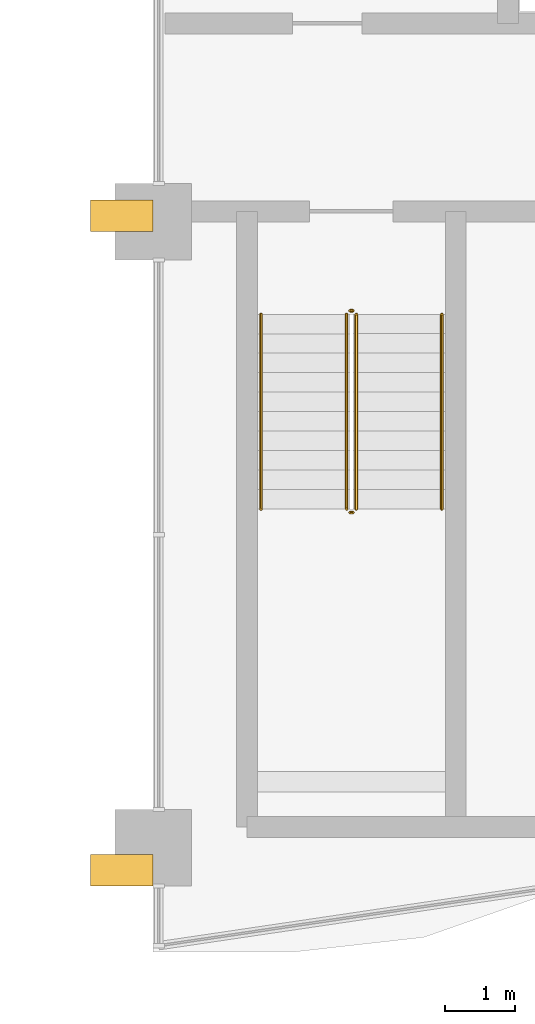
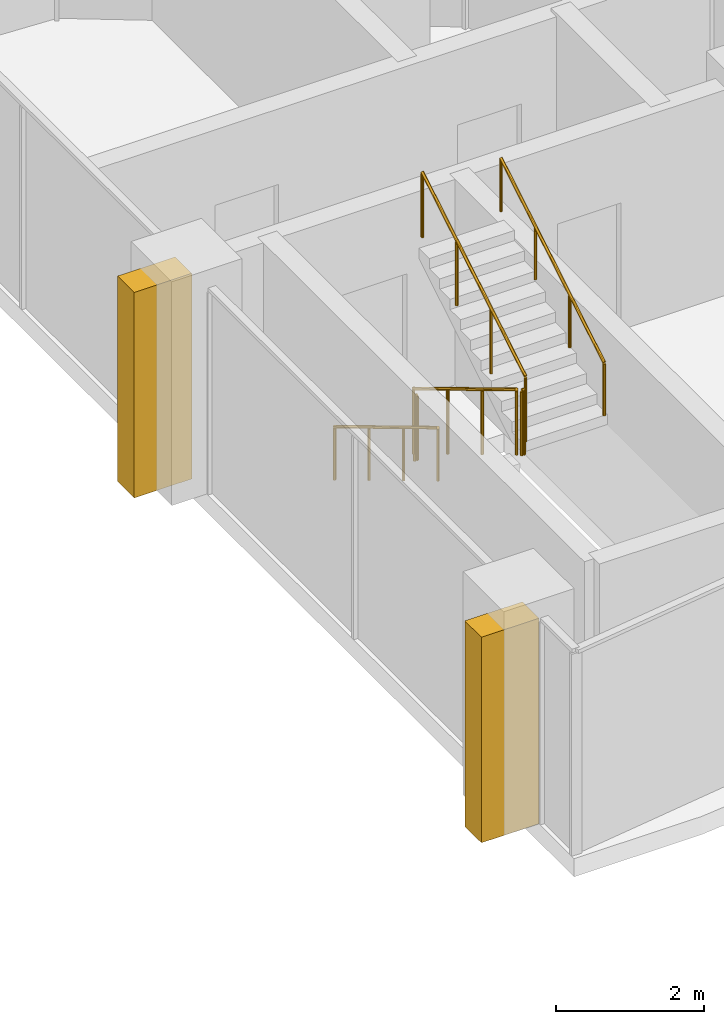
# One storey, part 21 of 23: 6 railings, 2 coverings.
"""IFC4 building model written with IfcOpenShell, lengths in metres."""

from ifc_helpers import new_model, si_unit, direction, frame, origin, origin_2d, place, context, subcontext, project, spatial, rectangle, circle, extrude, material, layer, layer_set, type_object, element, save


model = new_model("IFC4")

# Units and contexts
model_context = context("Model", 3, precision=1e-05, world=origin(), true_north=direction((0.0, 1.0)))
body_context = subcontext(model_context, "Body", "Model", "MODEL_VIEW")
ifc_project = project(units=[si_unit("LENGTHUNIT", "METRE"), si_unit("AREAUNIT", "SQUARE_METRE"), si_unit("VOLUMEUNIT", "CUBIC_METRE"), si_unit("PLANEANGLEUNIT", "RADIAN"), si_unit("MASSUNIT", "GRAM", prefix="KILO")], contexts=[model_context])

# Site, building, storey
site_placement = place(None, origin())
site = spatial("IfcSite", under=ifc_project, at=site_placement, CompositionType="ELEMENT")
building_placement = place(site_placement, origin())
building = spatial("IfcBuilding", under=site, at=building_placement, Name="Ogive Portal Towers", CompositionType="ELEMENT")
storey_placement = place(building_placement, frame((0.0, 0.0, 149.60009765625)))
storey = spatial("IfcBuildingStorey", under=building, at=storey_placement, Name="L36", CompositionType="ELEMENT", Elevation=149.60009765625)

# Coverings
ifc_material_1 = material(Name="Limestone cladding on lightweight block wall", Category="masonry")
ifc_layer = layer(ifc_material_1, 0.449951171875)
ifc_layer_set = layer_set([ifc_layer], Name="BUTTRESS PIER STONE")
covering_type = type_object("IfcCoveringType", Name="BUTTRESS PIER STONE", PredefinedType="CLADDING", material=ifc_layer_set)
for number, where, z_axis, x_axis, name in (
    (1, (85.050048828125, 30.58447265625, 0.0), (0.0, 0.0, 1.0), (1.0, 0.0, 0.0), "Buttress pier A2-F01.1"),
    (2, (85.050048828125, 21.17724609375, 0.0), (0.0, 0.0, 1.0), (1.0, 0.0, 0.0), "Buttress pier A2-F01.3"),
):
    element("IfcCovering", number, at=place(storey_placement, frame(where, z_axis=z_axis, x_axis=x_axis)), inside=storey, type_object=covering_type, Name=name, PredefinedType="CLADDING", context=body_context, shape_type="SweptSolid", body=[
        extrude(rectangle(XDim=0.89990234375, YDim=0.449951171875, at=origin_2d()), origin(), (0.0, 0.0, 1.0), 3.39990234375),
    ])

# Railings
ifc_material_2 = material(Name="Stainless steel balustrade", Category="steel")
railing_type_1 = type_object("IfcRailingType", Name="INT-GUARD", PredefinedType="GUARDRAIL", material=ifc_material_2)
railing_1_placement = place(storey_placement, frame((88.280029296875, 29.169921875, 0.16796875)))
element("IfcRailing", 3, at=railing_1_placement, inside=storey, type_object=railing_type_1, Name="L36 ST-A4 stair guard 1", PredefinedType="GUARDRAIL", context=body_context, shape_type="SweptSolid", body=[
    extrude(circle(Radius=0.02392578125, at=origin_2d()), frame((0.0, 0.0, 1.076171875), z_axis=(0.0, -0.857222391501, 0.514946377315), x_axis=(1.0, 0.0, 0.0)), (0.0, 0.0, 1.0), 3.26611328125),
    extrude(circle(Radius=0.02099609375, at=origin_2d()), origin(), (0.0, 0.0, 1.0), 1.052001953125),
    extrude(circle(Radius=0.02099609375, at=origin_2d()), frame((0.0, -0.933349609375, 0.560546875)), (0.0, 0.0, 1.0), 1.052001953125),
    extrude(circle(Radius=0.02099609375, at=origin_2d()), frame((0.0, -1.866455078125, 1.121337890625)), (0.0, 0.0, 1.0), 1.052001953125),
    extrude(circle(Radius=0.02099609375, at=origin_2d()), frame((0.0, -2.7998046875, 1.681884765625)), (0.0, 0.0, 1.0), 1.052001953125),
])
railing_2_placement = place(storey_placement, frame((88.330078125, 26.320068359375, 1.849853515625)))
element("IfcRailing", 4, at=railing_2_placement, inside=storey, type_object=railing_type_1, Name="L36 ST-A4 stair guard 2", PredefinedType="GUARDRAIL", context=body_context, shape_type="SweptSolid", body=[
    extrude(circle(Radius=0.02392578125, at=origin_2d()), frame((0.0, 0.0, 1.076171875), z_axis=(1.0, 0.0, 0.0), x_axis=(0.0, 1.0, 0.0)), (0.0, 0.0, 1.0), 0.0400390625),
    extrude(circle(Radius=0.02099609375, at=origin_2d()), origin(), (0.0, 0.0, 1.0), 1.052001953125),
    extrude(circle(Radius=0.02099609375, at=origin_2d()), frame((0.0400390625, 0.0, 0.0)), (0.0, 0.0, 1.0), 1.052001953125),
])
railing_3_placement = place(storey_placement, frame((88.419921875, 26.3701171875, 2.01806640625)))
element("IfcRailing", 5, at=railing_3_placement, inside=storey, type_object=railing_type_1, Name="L36 ST-A4 stair guard 3", PredefinedType="GUARDRAIL", context=body_context, shape_type="SweptSolid", body=[
    extrude(circle(Radius=0.02392578125, at=origin_2d()), frame((0.0, 0.0, 1.076171875), z_axis=(0.0, 0.857222391501, 0.514946377315), x_axis=(-1.0, 0.0, 0.0)), (0.0, 0.0, 1.0), 3.26611328125),
    extrude(circle(Radius=0.02099609375, at=origin_2d()), origin(), (0.0, 0.0, 1.0), 1.052001953125),
    extrude(circle(Radius=0.02099609375, at=origin_2d()), frame((0.0, 0.933349609375, 0.560546875)), (0.0, 0.0, 1.0), 1.052001953125),
    extrude(circle(Radius=0.02099609375, at=origin_2d()), frame((0.0, 1.866455078125, 1.121337890625)), (0.0, 0.0, 1.0), 1.052001953125),
    extrude(circle(Radius=0.02099609375, at=origin_2d()), frame((0.0, 2.7998046875, 1.681884765625)), (0.0, 0.0, 1.0), 1.052001953125),
])
railing_4_placement = place(storey_placement, frame((88.330078125, 29.219970703125, 0.0)))
element("IfcRailing", 6, at=railing_4_placement, inside=storey, type_object=railing_type_1, Name="L36 ST-A4 stair guard 4", PredefinedType="GUARDRAIL", context=body_context, shape_type="SweptSolid", body=[
    extrude(circle(Radius=0.02392578125, at=origin_2d()), frame((0.0, 0.0, 1.076171875), z_axis=(1.0, 0.0, 0.0), x_axis=(0.0, 1.0, 0.0)), (0.0, 0.0, 1.0), 0.0400390625),
    extrude(circle(Radius=0.02099609375, at=origin_2d()), origin(), (0.0, 0.0, 1.0), 1.052001953125),
    extrude(circle(Radius=0.02099609375, at=origin_2d()), frame((0.0400390625, 0.0, 0.0)), (0.0, 0.0, 1.0), 1.052001953125),
])
ifc_material_3 = material(Name="Stainless steel handrail", Category="steel")
railing_type_2 = type_object("IfcRailingType", Name="INT-HANDRAIL", PredefinedType="HANDRAIL", material=ifc_material_3)
railing_5_placement = place(storey_placement, frame((87.050048828125, 29.169921875, 0.16796875)))
element("IfcRailing", 7, at=railing_5_placement, inside=storey, type_object=railing_type_2, Name="L36 ST-A4 stair handrail 1", PredefinedType="HANDRAIL", context=body_context, shape_type="SweptSolid", body=[
    extrude(circle(Radius=0.02392578125, at=origin_2d()), frame((0.0, 0.0, 0.8759765625), z_axis=(0.0, -0.857222391501, 0.514946377315), x_axis=(1.0, 0.0, 0.0)), (0.0, 0.0, 1.0), 3.26611328125),
    extrude(circle(Radius=0.02099609375, at=origin_2d()), origin(), (0.0, 0.0, 1.0), 0.851806640625),
    extrude(circle(Radius=0.02099609375, at=origin_2d()), frame((0.0, -0.933349609375, 0.560546875)), (0.0, 0.0, 1.0), 0.851806640625),
    extrude(circle(Radius=0.02099609375, at=origin_2d()), frame((0.0, -1.866455078125, 1.121337890625)), (0.0, 0.0, 1.0), 0.851806640625),
    extrude(circle(Radius=0.02099609375, at=origin_2d()), frame((0.0, -2.7998046875, 1.681884765625)), (0.0, 0.0, 1.0), 0.851806640625),
])
railing_6_placement = place(storey_placement, frame((89.64990234375, 26.3701171875, 2.01806640625)))
element("IfcRailing", 8, at=railing_6_placement, inside=storey, type_object=railing_type_2, Name="L36 ST-A4 stair handrail 2", PredefinedType="HANDRAIL", context=body_context, shape_type="SweptSolid", body=[
    extrude(circle(Radius=0.02392578125, at=origin_2d()), frame((0.0, 0.0, 0.8759765625), z_axis=(0.0, 0.857222391501, 0.514946377315), x_axis=(-1.0, 0.0, 0.0)), (0.0, 0.0, 1.0), 3.26611328125),
    extrude(circle(Radius=0.02099609375, at=origin_2d()), origin(), (0.0, 0.0, 1.0), 0.851806640625),
    extrude(circle(Radius=0.02099609375, at=origin_2d()), frame((0.0, 0.933349609375, 0.560546875)), (0.0, 0.0, 1.0), 0.851806640625),
    extrude(circle(Radius=0.02099609375, at=origin_2d()), frame((0.0, 1.866455078125, 1.121337890625)), (0.0, 0.0, 1.0), 0.851806640625),
    extrude(circle(Radius=0.02099609375, at=origin_2d()), frame((0.0, 2.7998046875, 1.681884765625)), (0.0, 0.0, 1.0), 0.851806640625),
])

save(model, "model.ifc")
